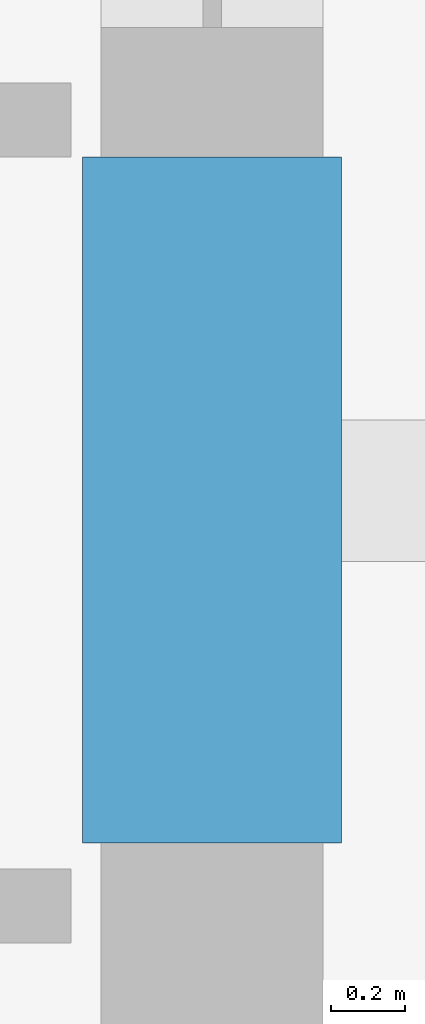
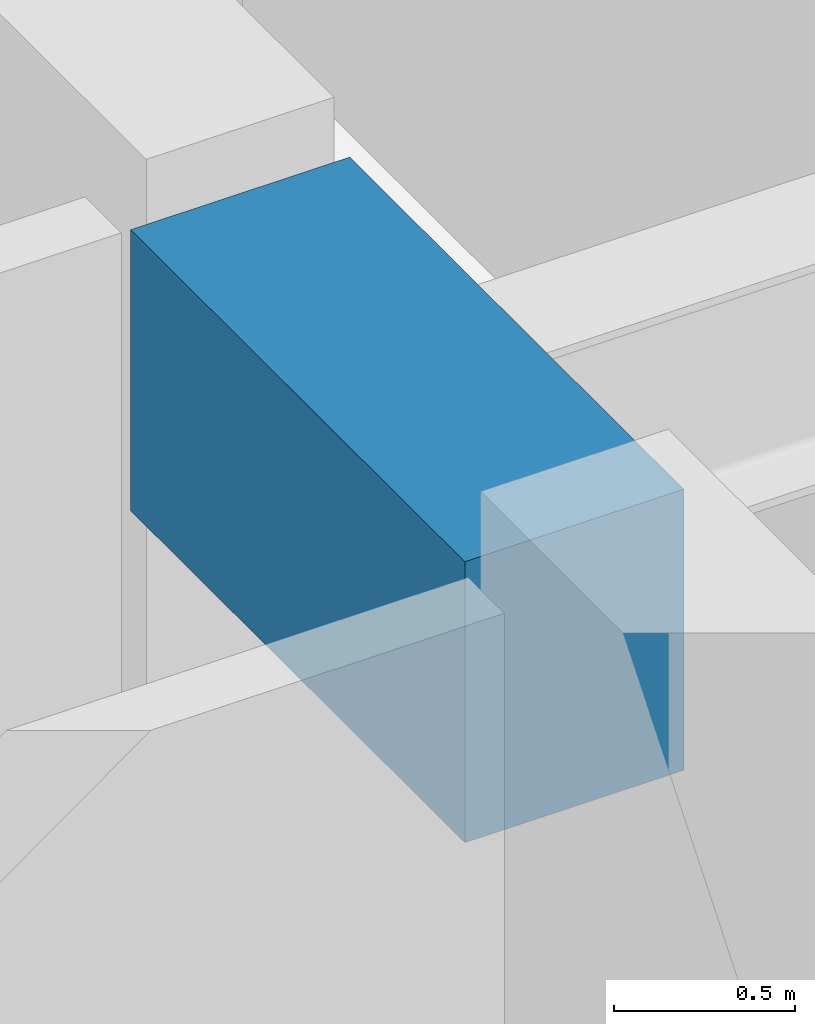
# One storey, part 12 of 38: 1 beam.
"""IFC4 building model written with IfcOpenShell, lengths in metres."""

from ifc_helpers import new_model, si_unit, direction, frame, origin, origin_2d, place, context, subcontext, project, spatial, rectangle, extrude, material, material_profile, profile_set, type_object, element, save


model = new_model("IFC4")

# Units and contexts
model_context = context("Model", 3, precision=1e-05, world=origin(), true_north=direction((0.0, 1.0)))
body_context = subcontext(model_context, "Body", "Model", "MODEL_VIEW")
ifc_project = project(units=[si_unit("LENGTHUNIT", "METRE"), si_unit("AREAUNIT", "SQUARE_METRE"), si_unit("VOLUMEUNIT", "CUBIC_METRE"), si_unit("PLANEANGLEUNIT", "RADIAN"), si_unit("MASSUNIT", "GRAM", prefix="KILO")], contexts=[model_context])

# Site, building, storey
site_placement = place(None, origin())
site = spatial("IfcSite", under=ifc_project, at=site_placement, CompositionType="ELEMENT")
building_placement = place(site_placement, origin())
building = spatial("IfcBuilding", under=site, at=building_placement, Name="Kolvaren Belvedere", CompositionType="ELEMENT")
storey_placement = place(building_placement, frame((0.0, 0.0, 78.800048828125)))
storey = spatial("IfcBuildingStorey", under=building, at=storey_placement, Name="L22", CompositionType="ELEMENT", Elevation=78.800048828125)

# Beam
ifc_material = material(Name="Concrete C60/75", Category="concrete")
ifc_material_profile = material_profile(ifc_material, rectangle(XDim=0.699951171875, YDim=0.949951171875, at=origin_2d()), Name="RC 700X950")
ifc_profile_set = profile_set([ifc_material_profile], Name="Concrete C60/75")
beam_type = type_object("IfcBeamType", Name="BM-LINT-950", PredefinedType="LINTEL", material=ifc_profile_set)
beam_placement = place(storey_placement, frame((9.89990234375, -5.550048828125, 2.60498046875), z_axis=(0.0, 1.0, 0.0), x_axis=(-1.0, 0.0, 0.0)))
element("IfcBeam", 1, at=beam_placement, inside=storey, type_object=beam_type, Name="L22 East Core Coupling Lintel", PredefinedType="LINTEL", context=body_context, shape_type="SweptSolid", body=[
    extrude(rectangle(XDim=0.699951171875, YDim=0.949951171875, at=origin_2d()), origin(), (0.0, 0.0, 1.0), 1.85009765625),
])

save(model, "model.ifc")
